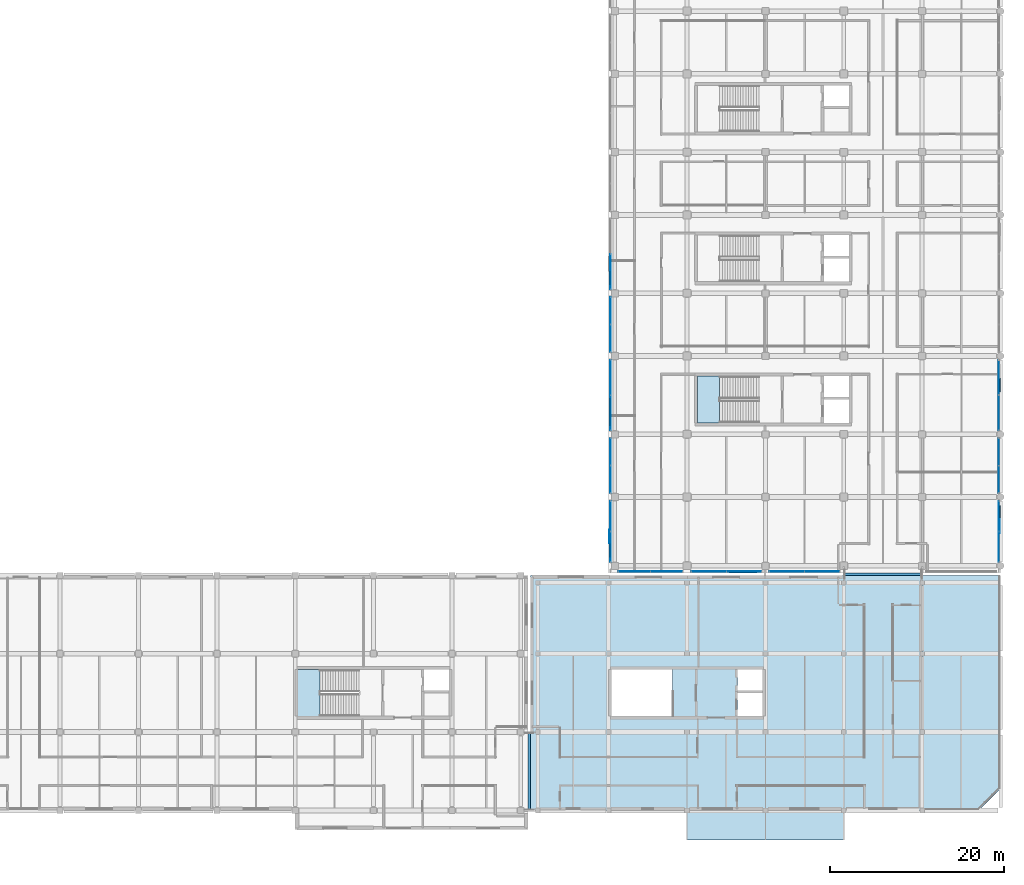
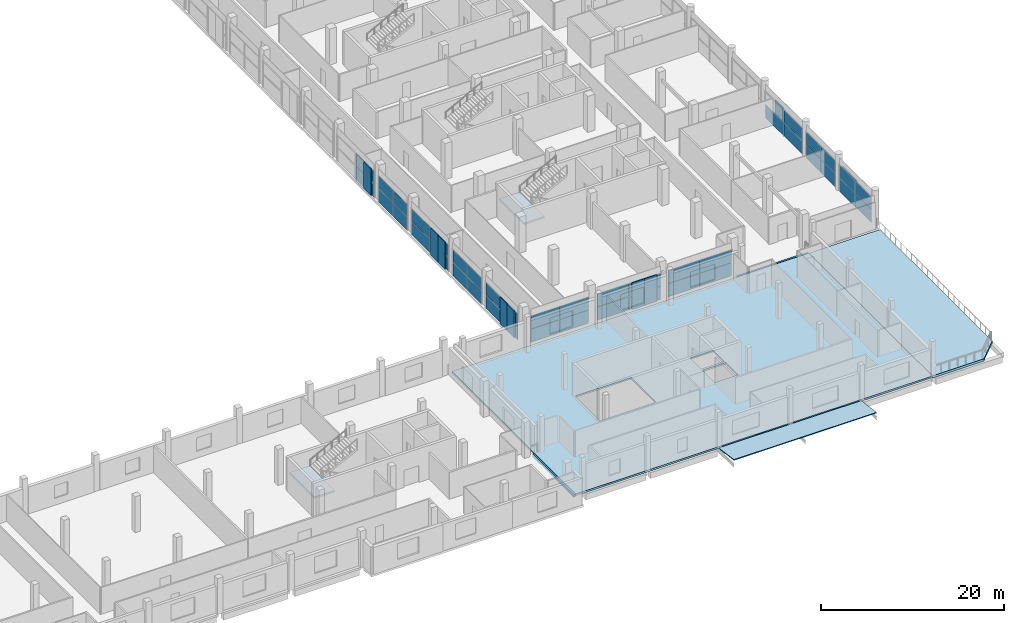
# One storey, part 57 of 111: 51 plates, 7 slabs, 13 elements without a shape of their own.
"""IFC4 building model written with IfcOpenShell, lengths in metres."""

from ifc_helpers import new_model, si_unit, direction, frame, origin, origin_2d, place, context, subcontext, project, spatial, polyline, rectangle, outline, extrude, material, layer, layer_set, type_object, element, aggregate, save


model = new_model("IFC4")

# Units and contexts
model_context = context("Model", 3, precision=1e-05, world=origin(), true_north=direction((0.0, 1.0)))
body_context = subcontext(model_context, "Body", "Model", "MODEL_VIEW")
ifc_project = project(units=[si_unit("LENGTHUNIT", "METRE"), si_unit("AREAUNIT", "SQUARE_METRE"), si_unit("VOLUMEUNIT", "CUBIC_METRE"), si_unit("PLANEANGLEUNIT", "RADIAN"), si_unit("MASSUNIT", "GRAM", prefix="KILO"), si_unit("THERMODYNAMICTEMPERATUREUNIT", "KELVIN"), si_unit("POWERUNIT", "WATT")], contexts=[model_context])

# Site, building, storey
site_placement = place(None, origin())
site = spatial("IfcSite", under=ifc_project, at=site_placement, CompositionType="ELEMENT")
building_placement = place(site_placement, origin())
building = spatial("IfcBuilding", under=site, at=building_placement, Name="Sindhuravela Promenade Stadium", CompositionType="ELEMENT")
storey_placement = place(building_placement, frame((0.0, 0.0, 9.60009765625)))
storey = spatial("IfcBuildingStorey", under=building, at=storey_placement, Name="L02", CompositionType="ELEMENT", Elevation=9.60009765625)

# Plates
ifc_material_1 = material(Name="Perforated terracotta celosia brick (15 MPa)", Category="masonry")
ifc_layer_1 = layer(ifc_material_1, 0.090087890625)
ifc_layer_set_1 = layer_set([ifc_layer_1], Name="Perforated terracotta celosia brick (15 MPa)")
plate_type_1 = type_object("IfcPlateType", Name="CL-SCR-01", PredefinedType="USERDEFINED", material=ifc_layer_set_1)
for number, where, z_axis, x_axis, name in (
    (1, (171.1201171875, 40.455078125, -0.000244140625), (0.0, 0.0, 1.0), (0.0, 1.0, 0.0), "Perforated brick celosia screen EAST L02-92"),
    (2, (215.8798828125, 41.64501953125, -0.000244140625), (0.0, 0.0, 1.0), (0.0, -1.0, 0.0), "Perforated brick celosia screen EAST L02-116"),
):
    element("IfcPlate", number, at=place(storey_placement, frame(where, z_axis=z_axis, x_axis=x_axis)), inside=storey, type_object=plate_type_1, Name=name, ObjectType="SCREEN PANEL", PredefinedType="USERDEFINED", context=body_context, shape_type="SweptSolid", body=[
        extrude(rectangle(XDim=1.56005859375, YDim=0.090087890625, at=origin_2d()), origin(), (0.0, 0.0, 1.0), 3.580078125),
    ])
ifc_layer_2 = layer(ifc_material_1, 0.114990234375)
ifc_layer_set_2 = layer_set([ifc_layer_2], Name="Perforated terracotta celosia brick (15 MPa)")
plate_type_2 = type_object("IfcPlateType", Name="CL-SCR-02", PredefinedType="USERDEFINED", material=ifc_layer_set_2)
for number, where, z_axis, x_axis, name in (
    (3, (171.1201171875, 53.955078125, -0.000244140625), (0.0, 0.0, 1.0), (0.0, 1.0, 0.0), "Perforated brick celosia screen EAST L02-93"),
    (4, (187.2451171875, 36.3701171875, -0.000244140625), (0.0, 0.0, 1.0), (-1.0, 0.0, 0.0), "Perforated brick celosia screen EAST L02-117"),
):
    element("IfcPlate", number, at=place(storey_placement, frame(where, z_axis=z_axis, x_axis=x_axis)), inside=storey, type_object=plate_type_2, Name=name, ObjectType="SCREEN PANEL", PredefinedType="USERDEFINED", context=body_context, shape_type="SweptSolid", body=[
        extrude(rectangle(XDim=1.56005859375, YDim=0.114990234375, at=origin_2d()), origin(), (0.0, 0.0, 1.0), 3.580078125),
    ])
ifc_layer_3 = layer(ifc_material_1, 0.139892578125)
ifc_layer_set_3 = layer_set([ifc_layer_3], Name="Perforated terracotta celosia brick (15 MPa)")
plate_type_3 = type_object("IfcPlateType", Name="CL-SCR-03", PredefinedType="USERDEFINED", material=ifc_layer_set_3)
for number, where, z_axis, x_axis, name in (
    (5, (171.1201171875, 55.554931640625, -0.000244140625), (0.0, 0.0, 1.0), (0.0, 1.0, 0.0), "Perforated brick celosia screen EAST L02-94"),
    (6, (215.8798828125, 57.844970703125, -0.000244140625), (0.0, 0.0, 1.0), (0.0, -1.0, 0.0), "Perforated brick celosia screen EAST L02-114"),
    (7, (185.64501953125, 36.3701171875, -0.000244140625), (0.0, 0.0, 1.0), (-1.0, 0.0, 0.0), "Perforated brick celosia screen EAST L02-118"),
):
    element("IfcPlate", number, at=place(storey_placement, frame(where, z_axis=z_axis, x_axis=x_axis)), inside=storey, type_object=plate_type_3, Name=name, ObjectType="SCREEN PANEL", PredefinedType="USERDEFINED", context=body_context, shape_type="SweptSolid", body=[
        extrude(rectangle(XDim=1.56005859375, YDim=0.139892578125, at=origin_2d()), origin(), (0.0, 0.0, 1.0), 3.580078125),
    ])
ifc_layer_4 = layer(ifc_material_1, 0.1650390625)
ifc_layer_set_4 = layer_set([ifc_layer_4], Name="Perforated terracotta celosia brick (15 MPa)")
plate_type_4 = type_object("IfcPlateType", Name="CL-SCR-04", PredefinedType="USERDEFINED", material=ifc_layer_set_4)
for number, where, z_axis, x_axis, name in (
    (8, (171.1201171875, 38.85498046875, -0.000244140625), (0.0, 0.0, 1.0), (0.0, 1.0, 0.0), "Perforated brick celosia screen EAST L02-91"),
    (9, (171.1201171875, 70.155029296875, -0.000244140625), (0.0, 0.0, 1.0), (0.0, 1.0, 0.0), "Perforated brick celosia screen EAST L02-95"),
    (10, (215.8798828125, 43.2451171875, -0.000244140625), (0.0, 0.0, 1.0), (0.0, -1.0, 0.0), "Perforated brick celosia screen EAST L02-115"),
):
    element("IfcPlate", number, at=place(storey_placement, frame(where, z_axis=z_axis, x_axis=x_axis)), inside=storey, type_object=plate_type_4, Name=name, ObjectType="SCREEN PANEL", PredefinedType="USERDEFINED", context=body_context, shape_type="SweptSolid", body=[
        extrude(rectangle(XDim=1.56005859375, YDim=0.1650390625, at=origin_2d()), origin(), (0.0, 0.0, 1.0), 3.580078125),
    ])

# Curtain wall, plates
ifc_material_2 = material(Name="Anodised architectural aluminium 6063-T6", Category="aluminium")
curtain_wall_type_1 = type_object("IfcCurtainWallType", Name="CW-MOD-5", PredefinedType="NOTDEFINED", material=ifc_material_2)
curtain_wall_1_placement = place(storey_placement, origin())
curtain_wall_1 = element("IfcCurtainWall", 11, at=curtain_wall_1_placement, inside=storey, type_object=curtain_wall_type_1, Name="Bronze curtain wall CW-EAST-L02-092", PredefinedType="NOTDEFINED")
ifc_material_3 = material(Name="Tempered laminated low-E glass", Category="glass")
ifc_layer_5 = layer(ifc_material_3, 0.028076171875)
ifc_layer_set_5 = layer_set([ifc_layer_5], Name="Tempered laminated low-E glass")
plate_type_5 = type_object("IfcPlateType", Name="CW-PNL-01", PredefinedType="CURTAIN_PANEL", material=ifc_layer_set_5)
plate_1_placement = place(storey_placement, frame((171.199951171875, 39.300048828125, 0.01513671875), z_axis=(0.0, 0.0, 1.0), x_axis=(0.0, 1.0, 0.0)))
plate_1 = element("IfcPlate", 12, at=plate_1_placement, type_object=plate_type_5, Name="Glazed curtain panel CW-EAST-L02-092-P1.1", PredefinedType="CURTAIN_PANEL", context=body_context, shape_type="SweptSolid", body=[
    extrude(rectangle(XDim=3.43994140625, YDim=0.028076171875, at=origin_2d()), origin(), (0.0, 0.0, 1.0), 1.760009765625),
])
plate_2_placement = place(storey_placement, frame((171.199951171875, 39.300048828125, 1.80517578125), z_axis=(0.0, 0.0, 1.0), x_axis=(0.0, 1.0, 0.0)))
plate_2 = element("IfcPlate", 13, at=plate_2_placement, type_object=plate_type_5, Name="Glazed curtain panel CW-EAST-L02-092-P1.2", PredefinedType="CURTAIN_PANEL", context=body_context, shape_type="SweptSolid", body=[
    extrude(rectangle(XDim=3.43994140625, YDim=0.028076171875, at=origin_2d()), origin(), (0.0, 0.0, 1.0), 1.679931640625),
])
plate_3_placement = place(storey_placement, frame((171.199951171875, 42.800048828125, 0.01513671875), z_axis=(0.0, 0.0, 1.0), x_axis=(0.0, 1.0, 0.0)))
plate_3 = element("IfcPlate", 14, at=plate_3_placement, type_object=plate_type_5, Name="Glazed curtain panel CW-EAST-L02-092-P2.1", PredefinedType="CURTAIN_PANEL", context=body_context, shape_type="SweptSolid", body=[
    extrude(rectangle(XDim=3.43994140625, YDim=0.028076171875, at=origin_2d()), origin(), (0.0, 0.0, 1.0), 1.760009765625),
])
plate_4_placement = place(storey_placement, frame((171.199951171875, 42.800048828125, 1.80517578125), z_axis=(0.0, 0.0, 1.0), x_axis=(0.0, 1.0, 0.0)))
plate_4 = element("IfcPlate", 15, at=plate_4_placement, type_object=plate_type_5, Name="Glazed curtain panel CW-EAST-L02-092-P2.2", PredefinedType="CURTAIN_PANEL", context=body_context, shape_type="SweptSolid", body=[
    extrude(rectangle(XDim=3.43994140625, YDim=0.028076171875, at=origin_2d()), origin(), (0.0, 0.0, 1.0), 1.679931640625),
])
aggregate(curtain_wall_1, [plate_1, plate_2, plate_3, plate_4])

curtain_wall_type_2 = type_object("IfcCurtainWallType", Name="CW-MOD-7", PredefinedType="NOTDEFINED", material=ifc_material_2)
curtain_wall_2_placement = place(storey_placement, origin())
curtain_wall_2 = element("IfcCurtainWall", 16, at=curtain_wall_2_placement, inside=storey, type_object=curtain_wall_type_2, Name="Bronze curtain wall CW-EAST-L02-094", PredefinedType="NOTDEFINED")
plate_5_placement = place(storey_placement, frame((171.199951171875, 54.675048828125, 0.01513671875), z_axis=(0.0, 0.0, 1.0), x_axis=(0.0, 1.0, 0.0)))
plate_5 = element("IfcPlate", 17, at=plate_5_placement, type_object=plate_type_5, Name="Glazed curtain panel CW-EAST-L02-094-P1.1", PredefinedType="CURTAIN_PANEL", context=body_context, shape_type="SweptSolid", body=[
    extrude(rectangle(XDim=3.989990234375, YDim=0.028076171875, at=origin_2d()), origin(), (0.0, 0.0, 1.0), 1.760009765625),
])
plate_6_placement = place(storey_placement, frame((171.199951171875, 54.675048828125, 1.80517578125), z_axis=(0.0, 0.0, 1.0), x_axis=(0.0, 1.0, 0.0)))
plate_6 = element("IfcPlate", 18, at=plate_6_placement, type_object=plate_type_5, Name="Glazed curtain panel CW-EAST-L02-094-P1.2", PredefinedType="CURTAIN_PANEL", context=body_context, shape_type="SweptSolid", body=[
    extrude(rectangle(XDim=3.989990234375, YDim=0.028076171875, at=origin_2d()), origin(), (0.0, 0.0, 1.0), 1.679931640625),
])
plate_7_placement = place(storey_placement, frame((171.199951171875, 58.72509765625, 0.01513671875), z_axis=(0.0, 0.0, 1.0), x_axis=(0.0, 1.0, 0.0)))
plate_7 = element("IfcPlate", 19, at=plate_7_placement, type_object=plate_type_5, Name="Glazed curtain panel CW-EAST-L02-094-P2.1", PredefinedType="CURTAIN_PANEL", context=body_context, shape_type="SweptSolid", body=[
    extrude(rectangle(XDim=3.989990234375, YDim=0.028076171875, at=origin_2d()), origin(), (0.0, 0.0, 1.0), 1.760009765625),
])
plate_8_placement = place(storey_placement, frame((171.199951171875, 58.72509765625, 1.80517578125), z_axis=(0.0, 0.0, 1.0), x_axis=(0.0, 1.0, 0.0)))
plate_8 = element("IfcPlate", 20, at=plate_8_placement, type_object=plate_type_5, Name="Glazed curtain panel CW-EAST-L02-094-P2.2", PredefinedType="CURTAIN_PANEL", context=body_context, shape_type="SweptSolid", body=[
    extrude(rectangle(XDim=3.989990234375, YDim=0.028076171875, at=origin_2d()), origin(), (0.0, 0.0, 1.0), 1.679931640625),
])
aggregate(curtain_wall_2, [plate_5, plate_6, plate_7, plate_8])

curtain_wall_type_3 = type_object("IfcCurtainWallType", Name="CW-MOD-1", PredefinedType="NOTDEFINED", material=ifc_material_2)
curtain_wall_3_placement = place(storey_placement, origin())
curtain_wall_3 = element("IfcCurtainWall", 21, at=curtain_wall_3_placement, inside=storey, type_object=curtain_wall_type_3, Name="Bronze curtain wall CW-EAST-L02-096", PredefinedType="NOTDEFINED")
plate_9_placement = place(storey_placement, frame((171.199951171875, 70.875, 0.01513671875), z_axis=(0.0, 0.0, 1.0), x_axis=(0.0, 1.0, 0.0)))
plate_9 = element("IfcPlate", 22, at=plate_9_placement, type_object=plate_type_5, Name="Glazed curtain panel CW-EAST-L02-096-P1.1", PredefinedType="CURTAIN_PANEL", context=body_context, shape_type="SweptSolid", body=[
    extrude(rectangle(XDim=3.989990234375, YDim=0.028076171875, at=origin_2d()), origin(), (0.0, 0.0, 1.0), 1.760009765625),
])
plate_10_placement = place(storey_placement, frame((171.199951171875, 70.875, 1.80517578125), z_axis=(0.0, 0.0, 1.0), x_axis=(0.0, 1.0, 0.0)))
plate_10 = element("IfcPlate", 23, at=plate_10_placement, type_object=plate_type_5, Name="Glazed curtain panel CW-EAST-L02-096-P1.2", PredefinedType="CURTAIN_PANEL", context=body_context, shape_type="SweptSolid", body=[
    extrude(rectangle(XDim=3.989990234375, YDim=0.028076171875, at=origin_2d()), origin(), (0.0, 0.0, 1.0), 1.679931640625),
])
aggregate(curtain_wall_3, [plate_9, plate_10])

curtain_wall_type_4 = type_object("IfcCurtainWallType", Name="CW-MOD-3", PredefinedType="NOTDEFINED", material=ifc_material_2)
curtain_wall_4_placement = place(storey_placement, origin())
curtain_wall_4 = element("IfcCurtainWall", 24, at=curtain_wall_4_placement, inside=storey, type_object=curtain_wall_type_4, Name="Bronze curtain wall CW-EAST-L02-114", PredefinedType="NOTDEFINED")
plate_11_placement = place(storey_placement, frame((215.800048828125, 58.72509765625, 0.01513671875), z_axis=(0.0, 0.0, 1.0), x_axis=(0.0, -1.0, 0.0)))
plate_11 = element("IfcPlate", 25, at=plate_11_placement, type_object=plate_type_5, Name="Glazed curtain panel CW-EAST-L02-114-P1.1", PredefinedType="CURTAIN_PANEL", context=body_context, shape_type="SweptSolid", body=[
    extrude(rectangle(XDim=3.989990234375, YDim=0.028076171875, at=origin_2d()), origin(), (0.0, 0.0, 1.0), 1.760009765625),
])
plate_12_placement = place(storey_placement, frame((215.800048828125, 54.675048828125, 0.01513671875), z_axis=(0.0, 0.0, 1.0), x_axis=(0.0, -1.0, 0.0)))
plate_12 = element("IfcPlate", 26, at=plate_12_placement, type_object=plate_type_5, Name="Glazed curtain panel CW-EAST-L02-114-P2.1", PredefinedType="CURTAIN_PANEL", context=body_context, shape_type="SweptSolid", body=[
    extrude(rectangle(XDim=3.989990234375, YDim=0.028076171875, at=origin_2d()), origin(), (0.0, 0.0, 1.0), 1.760009765625),
])
plate_13_placement = place(storey_placement, frame((215.800048828125, 54.675048828125, 1.80517578125), z_axis=(0.0, 0.0, 1.0), x_axis=(0.0, -1.0, 0.0)))
plate_13 = element("IfcPlate", 27, at=plate_13_placement, type_object=plate_type_5, Name="Glazed curtain panel CW-EAST-L02-114-P2.2", PredefinedType="CURTAIN_PANEL", context=body_context, shape_type="SweptSolid", body=[
    extrude(rectangle(XDim=3.989990234375, YDim=0.028076171875, at=origin_2d()), origin(), (0.0, 0.0, 1.0), 1.679931640625),
])
aggregate(curtain_wall_4, [plate_11, plate_12, plate_13])

curtain_wall_5_placement = place(storey_placement, origin())
curtain_wall_5 = element("IfcCurtainWall", 28, at=curtain_wall_5_placement, inside=storey, type_object=curtain_wall_type_1, Name="Bronze curtain wall CW-EAST-L02-116", PredefinedType="NOTDEFINED")
plate_14_placement = place(storey_placement, frame((215.800048828125, 42.800048828125, 0.01513671875), z_axis=(0.0, 0.0, 1.0), x_axis=(0.0, -1.0, 0.0)))
plate_14 = element("IfcPlate", 29, at=plate_14_placement, type_object=plate_type_5, Name="Glazed curtain panel CW-EAST-L02-116-P1.1", PredefinedType="CURTAIN_PANEL", context=body_context, shape_type="SweptSolid", body=[
    extrude(rectangle(XDim=3.43994140625, YDim=0.028076171875, at=origin_2d()), origin(), (0.0, 0.0, 1.0), 1.760009765625),
])
plate_15_placement = place(storey_placement, frame((215.800048828125, 42.800048828125, 1.80517578125), z_axis=(0.0, 0.0, 1.0), x_axis=(0.0, -1.0, 0.0)))
plate_15 = element("IfcPlate", 30, at=plate_15_placement, type_object=plate_type_5, Name="Glazed curtain panel CW-EAST-L02-116-P1.2", PredefinedType="CURTAIN_PANEL", context=body_context, shape_type="SweptSolid", body=[
    extrude(rectangle(XDim=3.43994140625, YDim=0.028076171875, at=origin_2d()), origin(), (0.0, 0.0, 1.0), 1.679931640625),
])
plate_16_placement = place(storey_placement, frame((215.800048828125, 39.300048828125, 0.01513671875), z_axis=(0.0, 0.0, 1.0), x_axis=(0.0, -1.0, 0.0)))
plate_16 = element("IfcPlate", 31, at=plate_16_placement, type_object=plate_type_5, Name="Glazed curtain panel CW-EAST-L02-116-P2.1", PredefinedType="CURTAIN_PANEL", context=body_context, shape_type="SweptSolid", body=[
    extrude(rectangle(XDim=3.43994140625, YDim=0.028076171875, at=origin_2d()), origin(), (0.0, 0.0, 1.0), 1.760009765625),
])
plate_17_placement = place(storey_placement, frame((215.800048828125, 39.300048828125, 1.80517578125), z_axis=(0.0, 0.0, 1.0), x_axis=(0.0, -1.0, 0.0)))
plate_17 = element("IfcPlate", 32, at=plate_17_placement, type_object=plate_type_5, Name="Glazed curtain panel CW-EAST-L02-116-P2.2", PredefinedType="CURTAIN_PANEL", context=body_context, shape_type="SweptSolid", body=[
    extrude(rectangle(XDim=3.43994140625, YDim=0.028076171875, at=origin_2d()), origin(), (0.0, 0.0, 1.0), 1.679931640625),
])
aggregate(curtain_wall_5, [plate_14, plate_15, plate_16, plate_17])

curtain_wall_6_placement = place(storey_placement, origin())
curtain_wall_6 = element("IfcCurtainWall", 33, at=curtain_wall_6_placement, inside=storey, type_object=curtain_wall_type_2, Name="Bronze curtain wall CW-EAST-L02-118", PredefinedType="NOTDEFINED")
plate_18_placement = place(storey_placement, frame((186.53759765625, 36.449951171875, 0.01513671875), z_axis=(0.0, 0.0, 1.0), x_axis=(-1.0, 0.0, 0.0)))
plate_18 = element("IfcPlate", 34, at=plate_18_placement, type_object=plate_type_5, Name="Glazed curtain panel CW-EAST-L02-118-P1.1", PredefinedType="CURTAIN_PANEL", context=body_context, shape_type="SweptSolid", body=[
    extrude(rectangle(XDim=3.965087890625, YDim=0.028076171875, at=origin_2d()), origin(), (0.0, 0.0, 1.0), 1.760009765625),
])
plate_19_placement = place(storey_placement, frame((186.53759765625, 36.449951171875, 1.80517578125), z_axis=(0.0, 0.0, 1.0), x_axis=(-1.0, 0.0, 0.0)))
plate_19 = element("IfcPlate", 35, at=plate_19_placement, type_object=plate_type_5, Name="Glazed curtain panel CW-EAST-L02-118-P1.2", PredefinedType="CURTAIN_PANEL", context=body_context, shape_type="SweptSolid", body=[
    extrude(rectangle(XDim=3.965087890625, YDim=0.028076171875, at=origin_2d()), origin(), (0.0, 0.0, 1.0), 1.679931640625),
])
plate_20_placement = place(storey_placement, frame((182.512451171875, 36.449951171875, 0.01513671875), z_axis=(0.0, 0.0, 1.0), x_axis=(-1.0, 0.0, 0.0)))
plate_20 = element("IfcPlate", 36, at=plate_20_placement, type_object=plate_type_5, Name="Glazed curtain panel CW-EAST-L02-118-P2.1", PredefinedType="CURTAIN_PANEL", context=body_context, shape_type="SweptSolid", body=[
    extrude(rectangle(XDim=3.965087890625, YDim=0.028076171875, at=origin_2d()), origin(), (0.0, 0.0, 1.0), 1.760009765625),
])
plate_21_placement = place(storey_placement, frame((182.512451171875, 36.449951171875, 1.80517578125), z_axis=(0.0, 0.0, 1.0), x_axis=(-1.0, 0.0, 0.0)))
plate_21 = element("IfcPlate", 37, at=plate_21_placement, type_object=plate_type_5, Name="Glazed curtain panel CW-EAST-L02-118-P2.2", PredefinedType="CURTAIN_PANEL", context=body_context, shape_type="SweptSolid", body=[
    extrude(rectangle(XDim=3.965087890625, YDim=0.028076171875, at=origin_2d()), origin(), (0.0, 0.0, 1.0), 1.679931640625),
])
aggregate(curtain_wall_6, [plate_18, plate_19, plate_20, plate_21])

curtain_wall_type_5 = type_object("IfcCurtainWallType", Name="CW-MOD-6", PredefinedType="NOTDEFINED", material=ifc_material_2)
curtain_wall_7_placement = place(storey_placement, origin())
curtain_wall_7 = element("IfcCurtainWall", 38, at=curtain_wall_7_placement, inside=storey, type_object=curtain_wall_type_5, Name="Bronze curtain wall CW-EAST-L02-093", PredefinedType="NOTDEFINED")
ifc_layer_6 = layer(ifc_material_3, 0.0400390625)
ifc_layer_set_6 = layer_set([ifc_layer_6], Name="Tempered laminated low-E glass")
plate_type_6 = type_object("IfcPlateType", Name="CW-PNL-02", PredefinedType="CURTAIN_PANEL", material=ifc_layer_set_6)
plate_22_placement = place(storey_placement, frame((171.199951171875, 47.02490234375, 0.01513671875), z_axis=(0.0, 0.0, 1.0), x_axis=(0.0, 1.0, 0.0)))
plate_22 = element("IfcPlate", 39, at=plate_22_placement, type_object=plate_type_6, Name="Glazed curtain panel CW-EAST-L02-093-P1.1", PredefinedType="CURTAIN_PANEL", context=body_context, shape_type="SweptSolid", body=[
    extrude(rectangle(XDim=3.090087890625, YDim=0.0400390625, at=origin_2d()), origin(), (0.0, 0.0, 1.0), 1.760009765625),
])
plate_23_placement = place(storey_placement, frame((171.199951171875, 47.02490234375, 1.80517578125), z_axis=(0.0, 0.0, 1.0), x_axis=(0.0, 1.0, 0.0)))
plate_23 = element("IfcPlate", 40, at=plate_23_placement, type_object=plate_type_6, Name="Glazed curtain panel CW-EAST-L02-093-P1.2", PredefinedType="CURTAIN_PANEL", context=body_context, shape_type="SweptSolid", body=[
    extrude(rectangle(XDim=3.090087890625, YDim=0.0400390625, at=origin_2d()), origin(), (0.0, 0.0, 1.0), 1.679931640625),
])
plate_24_placement = place(storey_placement, frame((171.199951171875, 50.175048828125, 0.01513671875), z_axis=(0.0, 0.0, 1.0), x_axis=(0.0, 1.0, 0.0)))
plate_24 = element("IfcPlate", 41, at=plate_24_placement, type_object=plate_type_6, Name="Glazed curtain panel CW-EAST-L02-093-P2.1", PredefinedType="CURTAIN_PANEL", context=body_context, shape_type="SweptSolid", body=[
    extrude(rectangle(XDim=3.090087890625, YDim=0.0400390625, at=origin_2d()), origin(), (0.0, 0.0, 1.0), 1.760009765625),
])
plate_25_placement = place(storey_placement, frame((171.199951171875, 50.175048828125, 1.80517578125), z_axis=(0.0, 0.0, 1.0), x_axis=(0.0, 1.0, 0.0)))
plate_25 = element("IfcPlate", 42, at=plate_25_placement, type_object=plate_type_6, Name="Glazed curtain panel CW-EAST-L02-093-P2.2", PredefinedType="CURTAIN_PANEL", context=body_context, shape_type="SweptSolid", body=[
    extrude(rectangle(XDim=3.090087890625, YDim=0.0400390625, at=origin_2d()), origin(), (0.0, 0.0, 1.0), 1.679931640625),
])
aggregate(curtain_wall_7, [plate_22, plate_23, plate_24, plate_25])

curtain_wall_type_6 = type_object("IfcCurtainWallType", Name="CW-MOD-8", PredefinedType="NOTDEFINED", material=ifc_material_2)
curtain_wall_8_placement = place(storey_placement, origin())
curtain_wall_8 = element("IfcCurtainWall", 43, at=curtain_wall_8_placement, inside=storey, type_object=curtain_wall_type_6, Name="Bronze curtain wall CW-EAST-L02-095", PredefinedType="NOTDEFINED")
plate_26_placement = place(storey_placement, frame((171.199951171875, 63.22509765625, 0.01513671875), z_axis=(0.0, 0.0, 1.0), x_axis=(0.0, 1.0, 0.0)))
plate_26 = element("IfcPlate", 44, at=plate_26_placement, type_object=plate_type_6, Name="Glazed curtain panel CW-EAST-L02-095-P1.1", PredefinedType="CURTAIN_PANEL", context=body_context, shape_type="SweptSolid", body=[
    extrude(rectangle(XDim=3.090087890625, YDim=0.0400390625, at=origin_2d()), origin(), (0.0, 0.0, 1.0), 1.760009765625),
])
plate_27_placement = place(storey_placement, frame((171.199951171875, 63.22509765625, 1.80517578125), z_axis=(0.0, 0.0, 1.0), x_axis=(0.0, 1.0, 0.0)))
plate_27 = element("IfcPlate", 45, at=plate_27_placement, type_object=plate_type_6, Name="Glazed curtain panel CW-EAST-L02-095-P1.2", PredefinedType="CURTAIN_PANEL", context=body_context, shape_type="SweptSolid", body=[
    extrude(rectangle(XDim=3.090087890625, YDim=0.0400390625, at=origin_2d()), origin(), (0.0, 0.0, 1.0), 1.679931640625),
])
plate_28_placement = place(storey_placement, frame((171.199951171875, 66.375, 0.01513671875), z_axis=(0.0, 0.0, 1.0), x_axis=(0.0, 1.0, 0.0)))
plate_28 = element("IfcPlate", 46, at=plate_28_placement, type_object=plate_type_6, Name="Glazed curtain panel CW-EAST-L02-095-P2.1", PredefinedType="CURTAIN_PANEL", context=body_context, shape_type="SweptSolid", body=[
    extrude(rectangle(XDim=3.090087890625, YDim=0.0400390625, at=origin_2d()), origin(), (0.0, 0.0, 1.0), 1.760009765625),
])
plate_29_placement = place(storey_placement, frame((171.199951171875, 66.375, 1.80517578125), z_axis=(0.0, 0.0, 1.0), x_axis=(0.0, 1.0, 0.0)))
plate_29 = element("IfcPlate", 47, at=plate_29_placement, type_object=plate_type_6, Name="Glazed curtain panel CW-EAST-L02-095-P2.2", PredefinedType="CURTAIN_PANEL", context=body_context, shape_type="SweptSolid", body=[
    extrude(rectangle(XDim=3.090087890625, YDim=0.0400390625, at=origin_2d()), origin(), (0.0, 0.0, 1.0), 1.679931640625),
])
aggregate(curtain_wall_8, [plate_26, plate_27, plate_28, plate_29])

curtain_wall_type_7 = type_object("IfcCurtainWallType", Name="CW-MOD-4", PredefinedType="NOTDEFINED", material=ifc_material_2)
curtain_wall_9_placement = place(storey_placement, origin())
curtain_wall_9 = element("IfcCurtainWall", 48, at=curtain_wall_9_placement, inside=storey, type_object=curtain_wall_type_7, Name="Bronze curtain wall CW-EAST-L02-115", PredefinedType="NOTDEFINED")
plate_30_placement = place(storey_placement, frame((215.800048828125, 50.175048828125, 0.01513671875), z_axis=(0.0, 0.0, 1.0), x_axis=(0.0, -1.0, 0.0)))
plate_30 = element("IfcPlate", 49, at=plate_30_placement, type_object=plate_type_6, Name="Glazed curtain panel CW-EAST-L02-115-P1.1", PredefinedType="CURTAIN_PANEL", context=body_context, shape_type="SweptSolid", body=[
    extrude(rectangle(XDim=3.090087890625, YDim=0.0400390625, at=origin_2d()), origin(), (0.0, 0.0, 1.0), 1.760009765625),
])
plate_31_placement = place(storey_placement, frame((215.800048828125, 50.175048828125, 1.80517578125), z_axis=(0.0, 0.0, 1.0), x_axis=(0.0, -1.0, 0.0)))
plate_31 = element("IfcPlate", 50, at=plate_31_placement, type_object=plate_type_6, Name="Glazed curtain panel CW-EAST-L02-115-P1.2", PredefinedType="CURTAIN_PANEL", context=body_context, shape_type="SweptSolid", body=[
    extrude(rectangle(XDim=3.090087890625, YDim=0.0400390625, at=origin_2d()), origin(), (0.0, 0.0, 1.0), 1.679931640625),
])
plate_32_placement = place(storey_placement, frame((215.800048828125, 47.02490234375, 0.01513671875), z_axis=(0.0, 0.0, 1.0), x_axis=(0.0, -1.0, 0.0)))
plate_32 = element("IfcPlate", 51, at=plate_32_placement, type_object=plate_type_6, Name="Glazed curtain panel CW-EAST-L02-115-P2.1", PredefinedType="CURTAIN_PANEL", context=body_context, shape_type="SweptSolid", body=[
    extrude(rectangle(XDim=3.090087890625, YDim=0.0400390625, at=origin_2d()), origin(), (0.0, 0.0, 1.0), 1.760009765625),
])
plate_33_placement = place(storey_placement, frame((215.800048828125, 47.02490234375, 1.80517578125), z_axis=(0.0, 0.0, 1.0), x_axis=(0.0, -1.0, 0.0)))
plate_33 = element("IfcPlate", 52, at=plate_33_placement, type_object=plate_type_6, Name="Glazed curtain panel CW-EAST-L02-115-P2.2", PredefinedType="CURTAIN_PANEL", context=body_context, shape_type="SweptSolid", body=[
    extrude(rectangle(XDim=3.090087890625, YDim=0.0400390625, at=origin_2d()), origin(), (0.0, 0.0, 1.0), 1.679931640625),
])
aggregate(curtain_wall_9, [plate_30, plate_31, plate_32, plate_33])

curtain_wall_10_placement = place(storey_placement, origin())
curtain_wall_10 = element("IfcCurtainWall", 53, at=curtain_wall_10_placement, inside=storey, type_object=curtain_wall_type_5, Name="Bronze curtain wall CW-EAST-L02-117", PredefinedType="NOTDEFINED")
plate_34_placement = place(storey_placement, frame((195.487548828125, 36.449951171875, 0.01513671875), z_axis=(0.0, 0.0, 1.0), x_axis=(-1.0, 0.0, 0.0)))
plate_34 = element("IfcPlate", 54, at=plate_34_placement, type_object=plate_type_6, Name="Glazed curtain panel CW-EAST-L02-117-P1.1", PredefinedType="CURTAIN_PANEL", context=body_context, shape_type="SweptSolid", body=[
    extrude(rectangle(XDim=3.965087890625, YDim=0.0400390625, at=origin_2d()), origin(), (0.0, 0.0, 1.0), 1.760009765625),
])
plate_35_placement = place(storey_placement, frame((195.487548828125, 36.449951171875, 1.80517578125), z_axis=(0.0, 0.0, 1.0), x_axis=(-1.0, 0.0, 0.0)))
plate_35 = element("IfcPlate", 55, at=plate_35_placement, type_object=plate_type_6, Name="Glazed curtain panel CW-EAST-L02-117-P1.2", PredefinedType="CURTAIN_PANEL", context=body_context, shape_type="SweptSolid", body=[
    extrude(rectangle(XDim=3.965087890625, YDim=0.0400390625, at=origin_2d()), origin(), (0.0, 0.0, 1.0), 1.679931640625),
])
plate_36_placement = place(storey_placement, frame((191.46240234375, 36.449951171875, 0.01513671875), z_axis=(0.0, 0.0, 1.0), x_axis=(-1.0, 0.0, 0.0)))
plate_36 = element("IfcPlate", 56, at=plate_36_placement, type_object=plate_type_6, Name="Glazed curtain panel CW-EAST-L02-117-P2.1", PredefinedType="CURTAIN_PANEL", context=body_context, shape_type="SweptSolid", body=[
    extrude(rectangle(XDim=3.965087890625, YDim=0.0400390625, at=origin_2d()), origin(), (0.0, 0.0, 1.0), 1.760009765625),
])
plate_37_placement = place(storey_placement, frame((191.46240234375, 36.449951171875, 1.80517578125), z_axis=(0.0, 0.0, 1.0), x_axis=(-1.0, 0.0, 0.0)))
plate_37 = element("IfcPlate", 57, at=plate_37_placement, type_object=plate_type_6, Name="Glazed curtain panel CW-EAST-L02-117-P2.2", PredefinedType="CURTAIN_PANEL", context=body_context, shape_type="SweptSolid", body=[
    extrude(rectangle(XDim=3.965087890625, YDim=0.0400390625, at=origin_2d()), origin(), (0.0, 0.0, 1.0), 1.679931640625),
])
aggregate(curtain_wall_10, [plate_34, plate_35, plate_36, plate_37])

curtain_wall_11_placement = place(storey_placement, origin())
curtain_wall_11 = element("IfcCurtainWall", 58, at=curtain_wall_11_placement, inside=storey, type_object=curtain_wall_type_6, Name="Bronze curtain wall CW-EAST-L02-119", PredefinedType="NOTDEFINED")
plate_38_placement = place(storey_placement, frame((177.66259765625, 36.449951171875, 0.01513671875), z_axis=(0.0, 0.0, 1.0), x_axis=(-1.0, 0.0, 0.0)))
plate_38 = element("IfcPlate", 59, at=plate_38_placement, type_object=plate_type_6, Name="Glazed curtain panel CW-EAST-L02-119-P1.1", PredefinedType="CURTAIN_PANEL", context=body_context, shape_type="SweptSolid", body=[
    extrude(rectangle(XDim=3.614990234375, YDim=0.0400390625, at=origin_2d()), origin(), (0.0, 0.0, 1.0), 1.760009765625),
])
plate_39_placement = place(storey_placement, frame((177.66259765625, 36.449951171875, 1.80517578125), z_axis=(0.0, 0.0, 1.0), x_axis=(-1.0, 0.0, 0.0)))
plate_39 = element("IfcPlate", 60, at=plate_39_placement, type_object=plate_type_6, Name="Glazed curtain panel CW-EAST-L02-119-P1.2", PredefinedType="CURTAIN_PANEL", context=body_context, shape_type="SweptSolid", body=[
    extrude(rectangle(XDim=3.614990234375, YDim=0.0400390625, at=origin_2d()), origin(), (0.0, 0.0, 1.0), 1.679931640625),
])
plate_40_placement = place(storey_placement, frame((173.987548828125, 36.449951171875, 0.01513671875), z_axis=(0.0, 0.0, 1.0), x_axis=(-1.0, 0.0, 0.0)))
plate_40 = element("IfcPlate", 61, at=plate_40_placement, type_object=plate_type_6, Name="Glazed curtain panel CW-EAST-L02-119-P2.1", PredefinedType="CURTAIN_PANEL", context=body_context, shape_type="SweptSolid", body=[
    extrude(rectangle(XDim=3.614990234375, YDim=0.0400390625, at=origin_2d()), origin(), (0.0, 0.0, 1.0), 1.760009765625),
])
plate_41_placement = place(storey_placement, frame((173.987548828125, 36.449951171875, 1.80517578125), z_axis=(0.0, 0.0, 1.0), x_axis=(-1.0, 0.0, 0.0)))
plate_41 = element("IfcPlate", 62, at=plate_41_placement, type_object=plate_type_6, Name="Glazed curtain panel CW-EAST-L02-119-P2.2", PredefinedType="CURTAIN_PANEL", context=body_context, shape_type="SweptSolid", body=[
    extrude(rectangle(XDim=3.614990234375, YDim=0.0400390625, at=origin_2d()), origin(), (0.0, 0.0, 1.0), 1.679931640625),
])
aggregate(curtain_wall_11, [plate_38, plate_39, plate_40, plate_41])

# Slabs
ifc_material_4 = material(Name="Concrete M50", Category="concrete")
ifc_layer_7 = layer(ifc_material_4, 0.360107421875)
ifc_layer_set_7 = layer_set([ifc_layer_7], Name="Concrete M50")
slab_type_1 = type_object("IfcSlabType", Name="SL-BRG-360", PredefinedType="FLOOR", material=ifc_layer_set_7)
slab_1_placement = place(storey_placement, frame((0.0, 0.0, -0.360107421875)))
element("IfcSlab", 63, at=slab_1_placement, inside=storey, type_object=slab_type_1, Name="Concourse link bridge L02 East-SE", PredefinedType="FLOOR", context=body_context, shape_type="SweptSolid", body=[
    extrude(outline(polyline([(198.0, 36.0), (207.0, 36.0), (207.0, 36.25), (198.0, 36.25), (198.0, 36.0)])), origin(), (0.0, 0.0, 1.0), 0.360107421875),
])
slab_2_placement = place(storey_placement, frame((0.0, 0.0, -0.360107421875)))
element("IfcSlab", 64, at=slab_2_placement, inside=storey, type_object=slab_type_1, Name="Concourse link bridge L02 South-SE", PredefinedType="FLOOR", context=body_context, shape_type="SweptSolid", body=[
    extrude(outline(polyline([(161.75, 9.0), (162.0, 9.0), (162.0, 18.0), (161.75, 18.0), (161.75, 9.0)])), origin(), (0.0, 0.0, 1.0), 0.360107421875),
])
ifc_material_5 = material(Name="Concrete M40", Category="concrete")
ifc_layer_8 = layer(ifc_material_5, 0.110107421875)
ifc_layer_set_8 = layer_set([ifc_layer_8], Name="Concrete M40")
slab_type_2 = type_object("IfcSlabType", Name="SL-ENT-110", PredefinedType="ROOF", material=ifc_layer_set_8)
slab_3_placement = place(storey_placement, frame((198.0, 8.9599609375, -0.1201171875), z_axis=(0.0, 0.13852926932385745, 0.9903583399661954), x_axis=(-1.0, 0.0, 0.0)))
element("IfcSlab", 65, at=slab_3_placement, inside=storey, type_object=slab_type_2, Name="Gate pavilion SE cantilevered entrance canopy", PredefinedType="ROOF", context=body_context, shape_type="SweptSolid", body=[
    extrude(outline(polyline([(0.0, 0.0), (18.0, 0.0), (18.0, 3.39257331983965), (0.0, 3.39257331983965), (0.0, 0.0)])), origin(), (0.0, 0.0, -1.0), 0.110107421875),
])
ifc_layer_9 = layer(ifc_material_5, 0.235107421875)
ifc_layer_set_9 = layer_set([ifc_layer_9], Name="Concrete M40")
slab_type_3 = type_object("IfcSlabType", Name="SL-FLR-220", PredefinedType="FLOOR", material=ifc_layer_set_9)
slab_4_placement = place(storey_placement, frame((0.0, 0.0, -0.235107421875)))
element("IfcSlab", 66, at=slab_4_placement, inside=storey, type_object=slab_type_3, Name="Floor slab Pavilion SE L02", PredefinedType="FLOOR", context=body_context, shape_type="SweptSolid", body=[
    extrude(outline(polyline([(162.0, 9.0), (207.0, 9.0), (207.0, 36.0), (162.0, 36.0), (162.0, 9.0)]), holes=[polyline([(171.300048828125, 19.800048828125), (178.34912109375, 19.800048828125), (178.34912109375, 25.199951171875), (171.300048828125, 25.199951171875), (171.300048828125, 19.800048828125)]), polyline([(185.800048828125, 22.800048828125), (188.699951171875, 22.800048828125), (188.699951171875, 25.199951171875), (185.800048828125, 25.199951171875), (185.800048828125, 22.800048828125)]), polyline([(185.800048828125, 19.800048828125), (188.699951171875, 19.800048828125), (188.699951171875, 22.5), (185.800048828125, 22.5), (185.800048828125, 19.800048828125)])]), origin(), (0.0, 0.0, 1.0), 0.235107421875),
])

# Stair, slab
stair_type = type_object("IfcStairType", Name="ST-CORE-DOGLEG", PredefinedType="HALF_TURN_STAIR", material=ifc_material_5)
stair_1_placement = place(storey_placement, origin())
stair_1 = element("IfcStair", 67, at=stair_1_placement, inside=storey, type_object=stair_type, Name="Protected escape stair ST05 (L02)", PredefinedType="HALF_TURN_STAIR")
ifc_layer_10 = layer(ifc_material_5, 0.219970703125)
ifc_layer_set_10 = layer_set([ifc_layer_10], Name="Concrete M40")
slab_type_4 = type_object("IfcSlabType", Name="SL-LND-220", PredefinedType="LANDING", material=ifc_layer_set_10)
slab_5_placement = place(storey_placement, frame((0.0, 0.0, 2.179931640625)))
slab_5 = element("IfcSlab", 68, at=slab_5_placement, type_object=slab_type_4, Name="Stair ST05 half-landing (L02)", PredefinedType="LANDING", context=body_context, shape_type="SweptSolid", body=[
    extrude(outline(polyline([(181.179931640625, 53.47998046875), (183.751953125, 53.47998046875), (183.751953125, 58.919921875), (181.179931640625, 58.919921875), (181.179931640625, 53.47998046875)])), origin(), (0.0, 0.0, 1.0), 0.219970703125),
])
aggregate(stair_1, [slab_5])

stair_2_placement = place(storey_placement, origin())
stair_2 = element("IfcStair", 69, at=stair_2_placement, inside=storey, type_object=stair_type, Name="Protected escape stair ST12 (L02)", PredefinedType="HALF_TURN_STAIR")
slab_6_placement = place(storey_placement, frame((0.0, 0.0, 2.179931640625)))
slab_6 = element("IfcSlab", 70, at=slab_6_placement, type_object=slab_type_4, Name="Stair ST12 half-landing (L02)", PredefinedType="LANDING", context=body_context, shape_type="SweptSolid", body=[
    extrude(outline(polyline([(135.280029296875, 19.780029296875), (137.85205078125, 19.780029296875), (137.85205078125, 25.219970703125), (135.280029296875, 25.219970703125), (135.280029296875, 19.780029296875)])), origin(), (0.0, 0.0, 1.0), 0.219970703125),
])
aggregate(stair_2, [slab_6])

# Slab
ifc_layer_11 = layer(ifc_material_5, 0.31005859375)
ifc_layer_set_11 = layer_set([ifc_layer_11], Name="Concrete M40")
slab_type_5 = type_object("IfcSlabType", Name="SL-TER-310", PredefinedType="FLOOR", material=ifc_layer_set_11)
slab_7_placement = place(storey_placement, frame((0.0, 0.0, -0.31005859375)))
element("IfcSlab", 71, at=slab_7_placement, inside=storey, type_object=slab_type_5, Name="SE Pavilion East Terrace", PredefinedType="FLOOR", context=body_context, shape_type="SweptSolid", body=[
    extrude(outline(polyline([(207.0, 9.0), (213.47998046875, 9.0), (216.0, 11.52001953125), (216.0, 36.0), (207.0, 36.0), (207.0, 9.0)])), origin(), (0.0, 0.0, 1.0), 0.31005859375),
])

save(model, "model.ifc")
